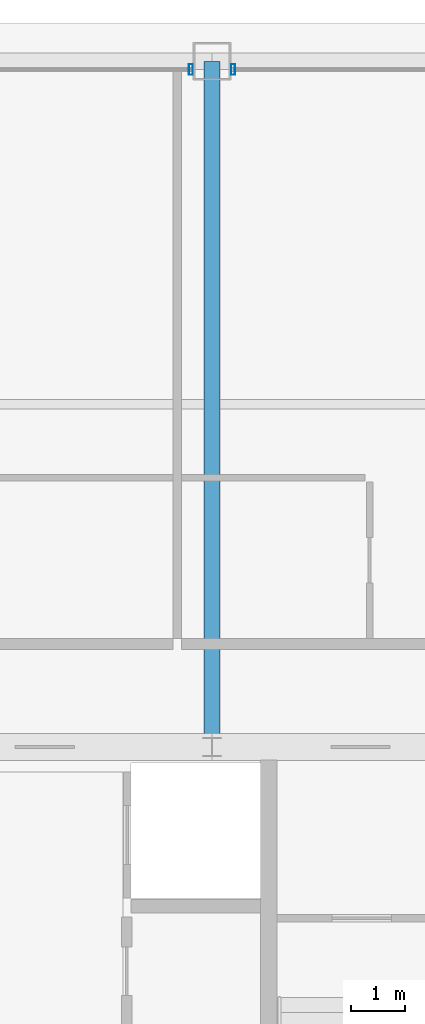
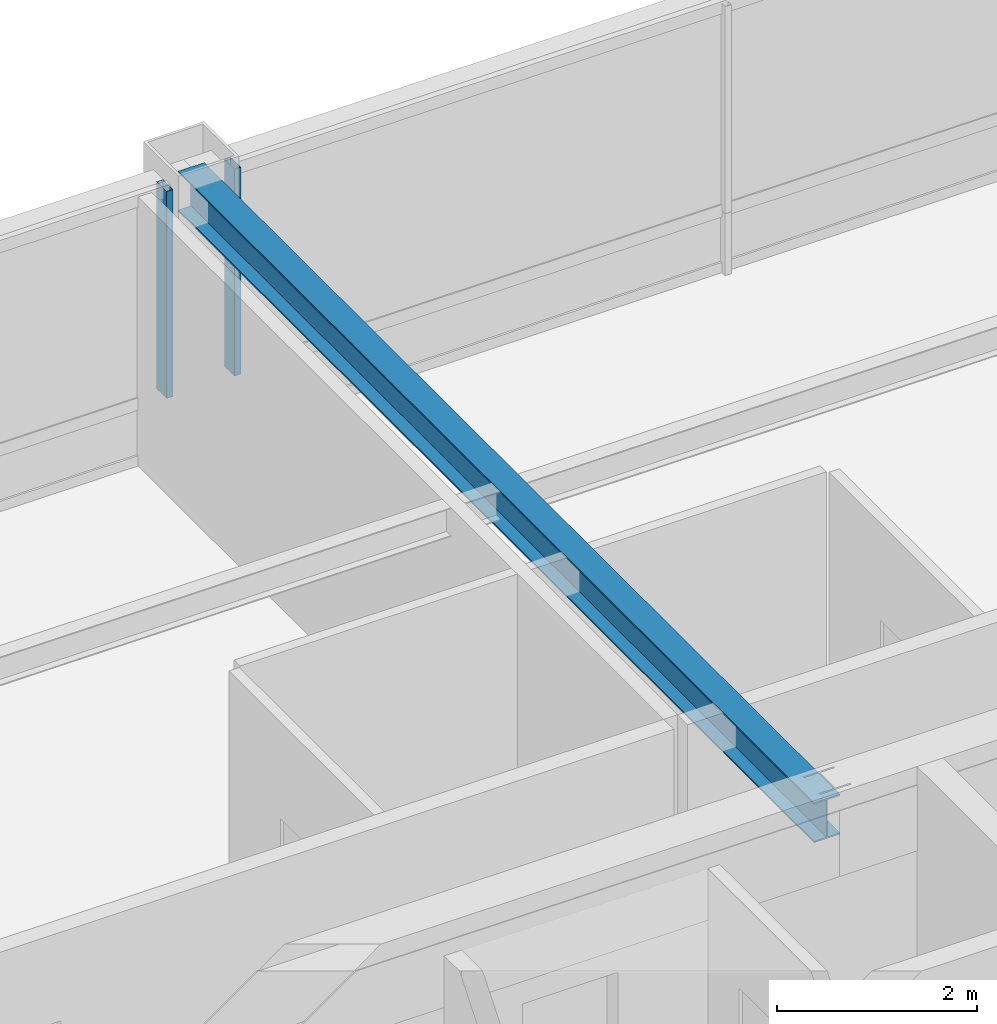
# One storey, part 18 of 34: 2 members, 1 beam, 2 elements without a shape of their own.
"""IFC4 building model written with IfcOpenShell, lengths in metres."""

import ifcopenshell
import ifcopenshell.guid

model = None  # the IFC model being written
_history = None  # IfcOwnerHistory: only IFC2X3 demands one
_inside = {}  # id of a spatial element -> (the spatial element, [elements in it])
_under = {}  # id of a project, library or spatial element -> (it, [spatial elements below it])
_declared = {}  # id of a project -> (the project, [libraries it declares])
_typed = {}  # id of a type object -> (the type object, [elements of that type])
_made_of = {}  # id of a material, layer set ... -> (it, [elements and type objects made of it])


def new_model(schema):
    """Start an empty IFC model of exactly this schema.

    Asked for "IFC4X3", IfcOpenShell would pick the latest addendum, in which some entities
    have other attributes; the version numbers below select the first issue.
    IFC2X3 requires an IfcOwnerHistory on every rooted entity: one is made here for all.
    """
    global model, _history
    if schema == "IFC4X3":
        model = ifcopenshell.file(schema_version=(4, 3, 0, 0))
    else:
        model = ifcopenshell.file(schema=schema)
    _inside.clear()
    _under.clear()
    _declared.clear()
    _typed.clear()
    _made_of.clear()
    _history = None
    if model.schema == "IFC2X3":
        org = make("IfcOrganization", Name="unknown")
        user = make(
            "IfcPersonAndOrganization",
            ThePerson=make("IfcPerson", FamilyName="unknown"),
            TheOrganization=org,
        )
        app = make(
            "IfcApplication",
            ApplicationDeveloper=org,
            Version="unknown",
            ApplicationFullName="unknown",
            ApplicationIdentifier="unknown",
        )
        _history = make(
            "IfcOwnerHistory",
            OwningUser=user,
            OwningApplication=app,
            ChangeAction="ADDED",
            CreationDate=0,
        )
    return model


def make(cls, **values):
    """One entity of the class cls with the attributes given. An attribute that is None is left unset."""
    return model.create_entity(
        cls, **{name: value for name, value in values.items() if value is not None}
    )


def rooted(cls, **values):
    """An entity with a GlobalId (a new one), such as an element, a storey or a relation."""
    return make(cls, GlobalId=ifcopenshell.guid.new(), OwnerHistory=_history, **values)


def si_unit(unit_type, name, prefix=None):
    """IfcSIUnit, for example si_unit("LENGTHUNIT", "METRE", prefix="MILLI")."""
    return make("IfcSIUnit", UnitType=unit_type, Prefix=prefix, Name=name)


def assignment(units):
    """IfcUnitAssignment: the units of a project."""
    return None if units is None else make("IfcUnitAssignment", Units=units)


def point(xyz):
    """IfcCartesianPoint."""
    return None if xyz is None else make("IfcCartesianPoint", Coordinates=xyz)


def direction(xyz):
    """IfcDirection."""
    return None if xyz is None else make("IfcDirection", DirectionRatios=xyz)


def frame(location, z_axis=None, x_axis=None):
    """IfcAxis2Placement3D, a coordinate frame: its origin and axes. An axis left out is left unset."""
    return make(
        "IfcAxis2Placement3D",
        Location=point(location),
        Axis=direction(z_axis),
        RefDirection=direction(x_axis),
    )


def frame_2d(location, x_axis=None):
    """IfcAxis2Placement2D, a coordinate frame in the plane: its origin and x axis."""
    return make(
        "IfcAxis2Placement2D", Location=point(location), RefDirection=direction(x_axis)
    )


def origin():
    """The frame at (0, 0, 0) with its axes left unset."""
    return frame((0.0, 0.0, 0.0))


def origin_2d():
    """The frame at (0, 0) in the plane with its x axis left unset."""
    return frame_2d((0.0, 0.0))


def place(relative_to, where):
    """IfcLocalPlacement: puts the frame where relative to a parent placement (None: the world)."""
    return make(
        "IfcLocalPlacement", PlacementRelTo=relative_to, RelativePlacement=where
    )


def context(
    kind, dimensions, precision=None, world=None, true_north=None, identifier=None
):
    """IfcGeometricRepresentationContext, for example the 3D "Model" context."""
    return make(
        "IfcGeometricRepresentationContext",
        ContextIdentifier=identifier,
        ContextType=kind,
        CoordinateSpaceDimension=dimensions,
        Precision=precision,
        WorldCoordinateSystem=world,
        TrueNorth=true_north,
    )


def subcontext(parent, identifier, kind, view, scale=None):
    """IfcGeometricRepresentationSubContext, for example "Body" below "Model"."""
    return make(
        "IfcGeometricRepresentationSubContext",
        ContextIdentifier=identifier,
        ContextType=kind,
        ParentContext=parent,
        TargetScale=scale,
        TargetView=view,
    )


def project(units=None, contexts=None):
    """IfcProject with its units and contexts."""
    return rooted(
        "IfcProject",
        Name="project",
        RepresentationContexts=contexts,
        UnitsInContext=assignment(units),
    )


def spatial(cls, under=None, at=None, **own):
    """A site, building, storey or space (cls), placed at a placement, below another one or the project."""
    s = rooted(cls, ObjectPlacement=at, **own)
    if under is not None:
        _under.setdefault(under.id(), (under, []))[1].append(s)
    return s


def profile(cls, at=None, kind="AREA", **sizes):
    """A parametric profile (cls). Its sizes go by their IFC names, for example OverallWidth=200.0."""
    return make(cls, ProfileType=kind, Position=at, **sizes)


def hollow_rectangle(**sizes):
    """IfcRectangleHollowProfileDef."""
    return profile("IfcRectangleHollowProfileDef", **sizes)


def i_section(**sizes):
    """IfcIShapeProfileDef."""
    return profile("IfcIShapeProfileDef", **sizes)


def extrude(swept, where, along, depth):
    """IfcExtrudedAreaSolid: the profile swept, set in the frame where, extruded along a direction by depth."""
    return make(
        "IfcExtrudedAreaSolid",
        SweptArea=swept,
        Position=where,
        ExtrudedDirection=direction(along),
        Depth=depth,
    )


def shape(context_of_items, identifier, shape_type, items):
    """IfcShapeRepresentation: the items that make up one representation, for example the "Body"."""
    return make(
        "IfcShapeRepresentation",
        ContextOfItems=context_of_items,
        RepresentationIdentifier=identifier,
        RepresentationType=shape_type,
        Items=items,
    )


def source(mapping_origin, context_of_items, identifier, shape_type, items):
    """IfcRepresentationMap: a shape defined once, which mapped items show again and again."""
    return make(
        "IfcRepresentationMap",
        MappingOrigin=mapping_origin,
        MappedRepresentation=shape(context_of_items, identifier, shape_type, items),
    )


def transform(
    local_origin,
    x_axis=None,
    y_axis=None,
    z_axis=None,
    scale=None,
    scale2=None,
    scale3=None,
    uniform=True,
):
    """IfcCartesianTransformationOperator3D, or its non-uniform kind. x_axis, y_axis, z_axis: its Axis1, 2, 3."""
    if uniform:
        return make(
            "IfcCartesianTransformationOperator3D",
            Axis1=direction(x_axis),
            Axis2=direction(y_axis),
            LocalOrigin=point(local_origin),
            Scale=scale,
            Axis3=direction(z_axis),
        )
    return make(
        "IfcCartesianTransformationOperator3DnonUniform",
        Axis1=direction(x_axis),
        Axis2=direction(y_axis),
        LocalOrigin=point(local_origin),
        Scale=scale,
        Axis3=direction(z_axis),
        Scale2=scale2,
        Scale3=scale3,
    )


def mapped(mapping_source, mapping_target):
    """IfcMappedItem: shows the shape of a source again, moved by a transform."""
    return make(
        "IfcMappedItem", MappingSource=mapping_source, MappingTarget=mapping_target
    )


def material(Name=None, Category=None):
    """IfcMaterial."""
    return make("IfcMaterial", Name=Name, Category=Category)


def layer(
    of_material, thickness, ventilated=None, Name=None, Category=None, Priority=None
):
    """IfcMaterialLayer: one layer of a wall or slab, of a material (None: an air gap)."""
    return make(
        "IfcMaterialLayer",
        Material=of_material,
        LayerThickness=thickness,
        IsVentilated=ventilated,
        Name=Name,
        Category=Category,
        Priority=Priority,
    )


def layer_set(layers, Name=None):
    """IfcMaterialLayerSet."""
    return make("IfcMaterialLayerSet", MaterialLayers=layers, LayerSetName=Name)


def material_profile(
    of_material, cross_section, Name=None, Category=None, Priority=None
):
    """IfcMaterialProfile: a cross section and its material."""
    return make(
        "IfcMaterialProfile",
        Name=Name,
        Material=of_material,
        Profile=cross_section,
        Priority=Priority,
        Category=Category,
    )


def profile_set(profiles, Name=None, composite=None):
    """IfcMaterialProfileSet."""
    return make(
        "IfcMaterialProfileSet",
        Name=Name,
        MaterialProfiles=profiles,
        CompositeProfile=composite,
    )


def made_of(thing, what):
    """Note that an element or type object is made of a material, layer set ...; save() writes the relation."""
    if what is not None:
        _made_of.setdefault(what.id(), (what, []))[1].append(thing)
    return thing


def type_object(cls, material=None, **own):
    """A type object (cls), such as IfcWallType, which elements share."""
    return made_of(rooted(cls, **own), material)


def element(
    cls,
    number,
    at=None,
    inside=None,
    cuts=None,
    type_object=None,
    material=None,
    context=None,
    identifier="Body",
    shape_type=None,
    held_by="IfcProductDefinitionShape",
    body=None,
    shapes=None,
    **own,
):
    """One element of the class cls, such as IfcWall. Its Tag is "e" and its number.

    at: its placement. inside: the storey or other place that contains it. cuts: it is an
    opening in that element (IfcRelVoidsElement). A single representation is given by context,
    identifier, shape_type and body (its items); several are given by shapes. held_by: the class
    of the entity that holds the representations. save() writes the other relations.
    """
    e = rooted(cls, Tag="e%d" % number, ObjectPlacement=at, **own)
    if body is not None:
        shapes = [shape(context, identifier, shape_type, body)]
    if shapes is not None:
        e.Representation = make(held_by, Representations=shapes)
    if inside is not None:
        _inside.setdefault(inside.id(), (inside, []))[1].append(e)
    if cuts is not None:
        rooted(
            "IfcRelVoidsElement", RelatingBuildingElement=cuts, RelatedOpeningElement=e
        )
    if type_object is not None:
        _typed.setdefault(type_object.id(), (type_object, []))[1].append(e)
    return made_of(e, material)


def aggregate(whole, parts):
    """IfcRelAggregates: a whole, such as a stair, and the parts it consists of."""
    return rooted("IfcRelAggregates", RelatingObject=whole, RelatedObjects=parts)


def save(model, path):
    """Write the relations noted so far, then the file.

    IfcRelAggregates (storeys below a building ...), IfcRelContainedInSpatialStructure (elements
    in a storey), IfcRelDefinesByType, IfcRelAssociatesMaterial and IfcRelDeclares: one each for
    every whole, place, type object, material and project.
    """
    for whole, parts in _under.values():
        aggregate(whole, parts)
    for where, things in _inside.values():
        rooted(
            "IfcRelContainedInSpatialStructure",
            RelatedElements=things,
            RelatingStructure=where,
        )
    for kind, things in _typed.values():
        rooted("IfcRelDefinesByType", RelatedObjects=things, RelatingType=kind)
    for what, things in _made_of.values():
        rooted("IfcRelAssociatesMaterial", RelatedObjects=things, RelatingMaterial=what)
    for by, libraries in _declared.values():
        rooted("IfcRelDeclares", RelatingContext=by, RelatedDefinitions=libraries)
    model.write(path)


model = new_model("IFC4")

# Units and contexts
model_context = context("Model", 3, precision=1e-05, world=origin(), true_north=direction((0.0, 1.0)))
body_context = subcontext(model_context, "Body", "Model", "MODEL_VIEW")
ifc_project = project(units=[si_unit("LENGTHUNIT", "METRE"), si_unit("AREAUNIT", "SQUARE_METRE"), si_unit("VOLUMEUNIT", "CUBIC_METRE"), si_unit("PLANEANGLEUNIT", "RADIAN"), si_unit("MASSUNIT", "GRAM", prefix="KILO"), si_unit("THERMODYNAMICTEMPERATUREUNIT", "KELVIN"), si_unit("POWERUNIT", "WATT")], contexts=[model_context])

# Site, building, storey
site_placement = place(None, origin())
site = spatial("IfcSite", under=ifc_project, at=site_placement, CompositionType="ELEMENT")
building_placement = place(site_placement, origin())
building = spatial("IfcBuilding", under=site, at=building_placement, Name="Yuzanri Waterfront Tower", CompositionType="ELEMENT")
storey_placement = place(building_placement, frame((0.0, 0.0, 325.199951171875)))
storey = spatial("IfcBuildingStorey", under=building, at=storey_placement, Name="L87", CompositionType="ELEMENT", Elevation=325.199951171875)

# Beam
ifc_material_1 = material(Name="Steel Q355B", Category="steel")
ifc_material_profile_1 = material_profile(ifc_material_1, i_section(OverallWidth=0.300048828125, OverallDepth=0.488037109375, WebThickness=0.010986328125, FlangeThickness=0.01806640625, at=origin_2d()), Name="HM 488x300x11x18")
ifc_profile_set_1 = profile_set([ifc_material_profile_1], Name="Steel Q355B")
beam_type = type_object("IfcBeamType", Name="Primary Floor Girder Q355B HM 488x300", PredefinedType="BEAM", material=ifc_profile_set_1)
shared_shape_1 = source(origin(), body_context, "Body", "SweptSolid", [
    extrude(i_section(OverallWidth=0.300048828125, OverallDepth=0.488037109375, WebThickness=0.010986328125, FlangeThickness=0.01806640625, at=origin_2d()), origin(), (0.0, 0.0, 1.0), 12.699951171875),
])
beam_placement = place(storey_placement, frame((37.0, 32.199951171875, 3.0361328125), z_axis=(0.0, 1.0, 0.0), x_axis=(-1.0, 0.0, 0.0)))
element("IfcBeam", 1, at=beam_placement, inside=storey, type_object=beam_type, Name="L87 North Grid Girder", PredefinedType="BEAM", context=body_context, shape_type="MappedRepresentation", body=[
    mapped(shared_shape_1, transform((0.0, 0.0, 0.0), scale=1.0)),
])

# Curtain wall, member
ifc_material_2 = material(Name="Anodized Architectural Bronze", Category="metal")
ifc_layer = layer(ifc_material_2, 0.159912109375)
ifc_layer_set = layer_set([ifc_layer], Name="Anodized Architectural Bronze")
curtain_wall_type = type_object("IfcCurtainWallType", Name="Anodized Bronze High-Rise Penthouse High-Wind Unitized Curtain Wall 6900", PredefinedType="NOTDEFINED", material=ifc_layer_set)
curtain_wall_1_placement = place(storey_placement, origin())
curtain_wall_1 = element("IfcCurtainWall", 2, at=curtain_wall_1_placement, inside=storey, type_object=curtain_wall_type, Name="L87 Curtain Wall CW-L87-NL", PredefinedType="NOTDEFINED")
ifc_material_3 = material(Name="Anodized Architectural Bronze", Category="metal")
ifc_material_profile_2 = material_profile(ifc_material_3, hollow_rectangle(XDim=0.074951171875, YDim=0.199951171875, WallThickness=0.00390625, at=origin_2d()), Name="CWM 75x200")
ifc_profile_set_2 = profile_set([ifc_material_profile_2], Name="Anodized Architectural Bronze")
member_type = type_object("IfcMemberType", Name="Anodized Bronze Primary Curtain-Wall Mullion 75x200", PredefinedType="MULLION", material=ifc_profile_set_2)
shared_shape_2 = source(origin(), body_context, "Body", "SweptSolid", [
    extrude(hollow_rectangle(XDim=0.074951171875, YDim=0.199951171875, WallThickness=0.00390625, at=origin_2d()), origin(), (0.0, 0.0, 1.0), 2.52392578125),
])
member_1_placement = place(storey_placement, frame((36.610107421875, 44.75, 0.756103515625), z_axis=(0.0, 0.0, 1.0), x_axis=(1.0, 0.0, 0.0)))
member_1 = element("IfcMember", 3, at=member_1_placement, type_object=member_type, Name="CW-L87-NL Upper Mullion 02", PredefinedType="MULLION", context=body_context, shape_type="MappedRepresentation", body=[
    mapped(shared_shape_2, transform((0.0, 0.0, 0.0), scale=1.0)),
])
aggregate(curtain_wall_1, [member_1])

curtain_wall_2_placement = place(storey_placement, origin())
curtain_wall_2 = element("IfcCurtainWall", 4, at=curtain_wall_2_placement, inside=storey, type_object=curtain_wall_type, Name="L87 Curtain Wall CW-L87-NR", PredefinedType="NOTDEFINED")
member_2_placement = place(storey_placement, frame((37.389892578125, 44.75, 0.756103515625), z_axis=(0.0, 0.0, 1.0), x_axis=(1.0, 0.0, 0.0)))
member_2 = element("IfcMember", 5, at=member_2_placement, type_object=member_type, Name="CW-L87-NR Upper Mullion 00", PredefinedType="MULLION", context=body_context, shape_type="MappedRepresentation", body=[
    mapped(shared_shape_2, transform((0.0, 0.0, 0.0), scale=1.0)),
])
aggregate(curtain_wall_2, [member_2])

save(model, "model.ifc")
